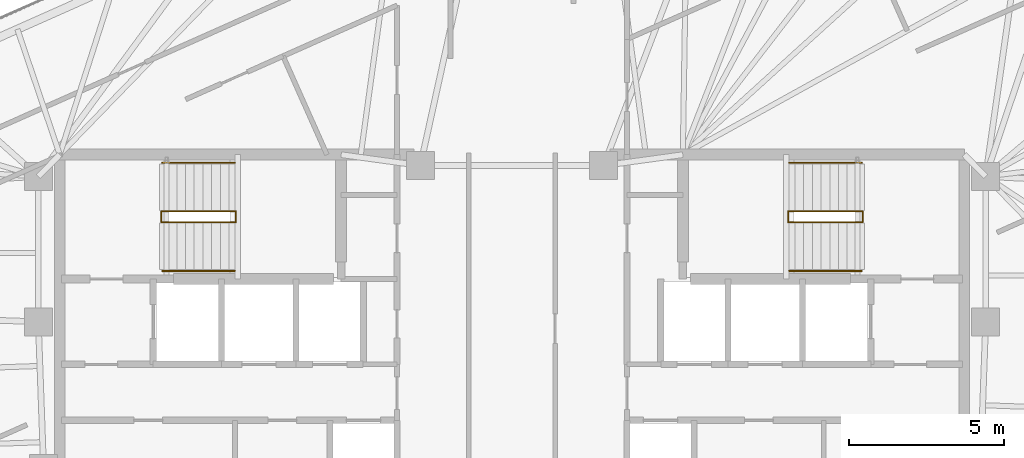
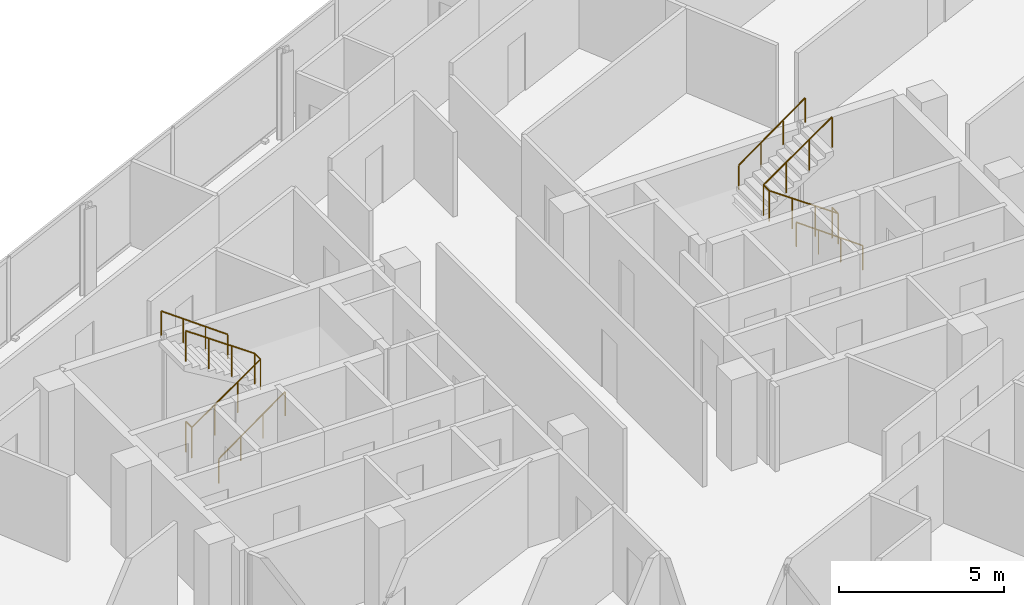
# One storey, part 19 of 19: 6 railings.
"""IFC4 building model written with IfcOpenShell, lengths in metres."""

from ifc_helpers import new_model, si_unit, direction, frame, origin, origin_2d, place, context, subcontext, project, spatial, circle, extrude, material, type_object, element, save


model = new_model("IFC4")

# Units and contexts
model_context = context("Model", 3, precision=1e-05, world=origin(), true_north=direction((0.0, 1.0)))
body_context = subcontext(model_context, "Body", "Model", "MODEL_VIEW")
ifc_project = project(units=[si_unit("LENGTHUNIT", "METRE"), si_unit("AREAUNIT", "SQUARE_METRE"), si_unit("VOLUMEUNIT", "CUBIC_METRE"), si_unit("PLANEANGLEUNIT", "RADIAN"), si_unit("MASSUNIT", "GRAM", prefix="KILO")], contexts=[model_context])

# Site, building, storey
site_placement = place(None, origin())
site = spatial("IfcSite", under=ifc_project, at=site_placement, CompositionType="ELEMENT")
building_placement = place(site_placement, origin())
building = spatial("IfcBuilding", under=site, at=building_placement, Name="Menara Jurai Vektor", CompositionType="ELEMENT")
storey_placement = place(building_placement, frame((0.0, 0.0, 295.300048828125)))
storey = spatial("IfcBuildingStorey", under=building, at=storey_placement, Name="L79", CompositionType="ELEMENT", Elevation=295.300048828125)

# Railings
ifc_material_1 = material(Name="Painted Galvanised Steel Balustrade", Category="steel")
railing_type_1 = type_object("IfcRailingType", Name="RAIL-STAIR-GUARD", PredefinedType="GUARDRAIL", material=ifc_material_1)
railing_1_placement = place(storey_placement, frame((-11.2900390625, 3.780029296875, 0.0)))
element("IfcRailing", 1, at=railing_1_placement, inside=storey, type_object=railing_type_1, Name="ST1 Stair Guardrail 1 L79", PredefinedType="GUARDRAIL", context=body_context, shape_type="SweptSolid", body=[
    extrude(circle(Radius=0.02392578125, at=origin_2d()), frame((0.0, 0.0, 1.1259765625), z_axis=(0.0, -1.0, 0.0), x_axis=(1.0, 0.0, 0.0)), (0.0, 0.0, 1.0), 0.360107421875),
    extrude(circle(Radius=0.02392578125, at=origin_2d()), frame((0.0, -0.360107421875, 1.1259765625), z_axis=(0.820042287322, 0.0, 0.572302932898), x_axis=(0.0, 1.0, 0.0)), (0.0, 0.0, 1.0), 2.9267578125),
    extrude(circle(Radius=0.02392578125, at=origin_2d()), frame((2.400146484375, -0.360107421875, 2.80078125), z_axis=(0.0, 1.0, 0.0), x_axis=(-1.0, 0.0, 0.0)), (0.0, 0.0, 1.0), 0.360107421875),
    extrude(circle(Radius=0.02392578125, at=origin_2d()), frame((2.400146484375, 0.0, 2.80078125), z_axis=(-0.820081434478, 0.0, 0.572246835573), x_axis=(0.0, -1.0, 0.0)), (0.0, 0.0, 1.0), 2.9267578125),
    extrude(circle(Radius=0.02099609375, at=origin_2d()), origin(), (0.0, 0.0, 1.0), 1.101806640625),
    extrude(circle(Radius=0.02099609375, at=origin_2d()), frame((0.0, -0.360107421875, 0.0)), (0.0, 0.0, 1.0), 1.101806640625),
    extrude(circle(Radius=0.02099609375, at=origin_2d()), frame((0.800048828125, -0.360107421875, 0.558349609375)), (0.0, 0.0, 1.0), 1.101806640625),
    extrude(circle(Radius=0.02099609375, at=origin_2d()), frame((1.60009765625, -0.360107421875, 1.11669921875)), (0.0, 0.0, 1.0), 1.101806640625),
    extrude(circle(Radius=0.02099609375, at=origin_2d()), frame((2.400146484375, -0.360107421875, 1.675048828125)), (0.0, 0.0, 1.0), 1.101806640625),
    extrude(circle(Radius=0.02099609375, at=origin_2d()), frame((2.400146484375, 0.0, 1.675048828125)), (0.0, 0.0, 1.0), 1.101806640625),
    extrude(circle(Radius=0.02099609375, at=origin_2d()), frame((1.60009765625, 0.0, 2.2333984375)), (0.0, 0.0, 1.0), 1.101806640625),
    extrude(circle(Radius=0.02099609375, at=origin_2d()), frame((0.800048828125, 0.0, 2.79150390625)), (0.0, 0.0, 1.0), 1.101806640625),
    extrude(circle(Radius=0.02099609375, at=origin_2d()), frame((0.0, 0.0, 3.349853515625)), (0.0, 0.0, 1.0), 1.101806640625),
])
railing_2_placement = place(storey_placement, frame((11.2900390625, 3.780029296875, 0.0)))
element("IfcRailing", 2, at=railing_2_placement, inside=storey, type_object=railing_type_1, Name="ST2 Stair Guardrail 1 L79", PredefinedType="GUARDRAIL", context=body_context, shape_type="SweptSolid", body=[
    extrude(circle(Radius=0.02392578125, at=origin_2d()), frame((0.0, 0.0, 1.1259765625), z_axis=(0.0, -1.0, 0.0), x_axis=(1.0, 0.0, 0.0)), (0.0, 0.0, 1.0), 0.360107421875),
    extrude(circle(Radius=0.02392578125, at=origin_2d()), frame((0.0, -0.360107421875, 1.1259765625), z_axis=(-0.820042287322, 0.0, 0.572302932898), x_axis=(0.0, -1.0, 0.0)), (0.0, 0.0, 1.0), 2.9267578125),
    extrude(circle(Radius=0.02392578125, at=origin_2d()), frame((-2.400146484375, -0.360107421875, 2.80078125), z_axis=(0.0, 1.0, 0.0), x_axis=(-1.0, 0.0, 0.0)), (0.0, 0.0, 1.0), 0.360107421875),
    extrude(circle(Radius=0.02392578125, at=origin_2d()), frame((-2.400146484375, 0.0, 2.80078125), z_axis=(0.820081434478, 0.0, 0.572246835573), x_axis=(0.0, 1.0, 0.0)), (0.0, 0.0, 1.0), 2.9267578125),
    extrude(circle(Radius=0.02099609375, at=origin_2d()), origin(), (0.0, 0.0, 1.0), 1.101806640625),
    extrude(circle(Radius=0.02099609375, at=origin_2d()), frame((0.0, -0.360107421875, 0.0)), (0.0, 0.0, 1.0), 1.101806640625),
    extrude(circle(Radius=0.02099609375, at=origin_2d()), frame((-0.800048828125, -0.360107421875, 0.558349609375)), (0.0, 0.0, 1.0), 1.101806640625),
    extrude(circle(Radius=0.02099609375, at=origin_2d()), frame((-1.60009765625, -0.360107421875, 1.11669921875)), (0.0, 0.0, 1.0), 1.101806640625),
    extrude(circle(Radius=0.02099609375, at=origin_2d()), frame((-2.400146484375, -0.360107421875, 1.675048828125)), (0.0, 0.0, 1.0), 1.101806640625),
    extrude(circle(Radius=0.02099609375, at=origin_2d()), frame((-2.400146484375, 0.0, 1.675048828125)), (0.0, 0.0, 1.0), 1.101806640625),
    extrude(circle(Radius=0.02099609375, at=origin_2d()), frame((-1.60009765625, 0.0, 2.2333984375)), (0.0, 0.0, 1.0), 1.101806640625),
    extrude(circle(Radius=0.02099609375, at=origin_2d()), frame((-0.800048828125, 0.0, 2.79150390625)), (0.0, 0.0, 1.0), 1.101806640625),
    extrude(circle(Radius=0.02099609375, at=origin_2d()), frame((0.0, 0.0, 3.349853515625)), (0.0, 0.0, 1.0), 1.101806640625),
])
ifc_material_2 = material(Name="Brushed Stainless Steel Handrail", Category="steel")
railing_type_2 = type_object("IfcRailingType", Name="RAIL-STAIR-HAND", PredefinedType="HANDRAIL", material=ifc_material_2)
railing_3_placement = place(storey_placement, frame((-11.25, 1.860107421875, 0.0)))
element("IfcRailing", 3, at=railing_3_placement, inside=storey, type_object=railing_type_2, Name="ST1 Stair Handrail 1 L79", PredefinedType="HANDRAIL", context=body_context, shape_type="SweptSolid", body=[
    extrude(circle(Radius=0.02392578125, at=origin_2d()), frame((0.0, 0.0, 0.89599609375), z_axis=(0.810771458067, 0.0, 0.585362830032), x_axis=(0.0, 1.0, 0.0)), (0.0, 0.0, 1.0), 2.861572265625),
    extrude(circle(Radius=0.02099609375, at=origin_2d()), origin(), (0.0, 0.0, 1.0), 0.871826171875),
    extrude(circle(Radius=0.02099609375, at=origin_2d()), frame((0.7734375, 0.0, 0.558349609375)), (0.0, 0.0, 1.0), 0.871826171875),
    extrude(circle(Radius=0.02099609375, at=origin_2d()), frame((1.546630859375, 0.0, 1.11669921875)), (0.0, 0.0, 1.0), 0.871826171875),
    extrude(circle(Radius=0.02099609375, at=origin_2d()), frame((2.320068359375, 0.0, 1.675048828125)), (0.0, 0.0, 1.0), 0.871826171875),
])
railing_4_placement = place(storey_placement, frame((-8.929931640625, 5.340087890625, 1.675048828125)))
element("IfcRailing", 4, at=railing_4_placement, inside=storey, type_object=railing_type_2, Name="ST1 Stair Handrail 2 L79", PredefinedType="HANDRAIL", context=body_context, shape_type="SweptSolid", body=[
    extrude(circle(Radius=0.02392578125, at=origin_2d()), frame((0.0, 0.0, 0.89599609375), z_axis=(-0.810811949412, 0.0, 0.585306742393), x_axis=(0.0, -1.0, 0.0)), (0.0, 0.0, 1.0), 2.861328125),
    extrude(circle(Radius=0.02099609375, at=origin_2d()), origin(), (0.0, 0.0, 1.0), 0.871826171875),
    extrude(circle(Radius=0.02099609375, at=origin_2d()), frame((-0.7734375, 0.0, 0.558349609375)), (0.0, 0.0, 1.0), 0.871826171875),
    extrude(circle(Radius=0.02099609375, at=origin_2d()), frame((-1.546630859375, 0.0, 1.116455078125)), (0.0, 0.0, 1.0), 0.871826171875),
    extrude(circle(Radius=0.02099609375, at=origin_2d()), frame((-2.320068359375, 0.0, 1.6748046875)), (0.0, 0.0, 1.0), 0.871826171875),
])
railing_5_placement = place(storey_placement, frame((11.25, 1.860107421875, 0.0)))
element("IfcRailing", 5, at=railing_5_placement, inside=storey, type_object=railing_type_2, Name="ST2 Stair Handrail 1 L79", PredefinedType="HANDRAIL", context=body_context, shape_type="SweptSolid", body=[
    extrude(circle(Radius=0.02392578125, at=origin_2d()), frame((0.0, 0.0, 0.89599609375), z_axis=(-0.810771458067, 0.0, 0.585362830032), x_axis=(0.0, -1.0, 0.0)), (0.0, 0.0, 1.0), 2.861572265625),
    extrude(circle(Radius=0.02099609375, at=origin_2d()), origin(), (0.0, 0.0, 1.0), 0.871826171875),
    extrude(circle(Radius=0.02099609375, at=origin_2d()), frame((-0.7734375, 0.0, 0.558349609375)), (0.0, 0.0, 1.0), 0.871826171875),
    extrude(circle(Radius=0.02099609375, at=origin_2d()), frame((-1.546630859375, 0.0, 1.11669921875)), (0.0, 0.0, 1.0), 0.871826171875),
    extrude(circle(Radius=0.02099609375, at=origin_2d()), frame((-2.320068359375, 0.0, 1.675048828125)), (0.0, 0.0, 1.0), 0.871826171875),
])
railing_6_placement = place(storey_placement, frame((8.929931640625, 5.340087890625, 1.675048828125)))
element("IfcRailing", 6, at=railing_6_placement, inside=storey, type_object=railing_type_2, Name="ST2 Stair Handrail 2 L79", PredefinedType="HANDRAIL", context=body_context, shape_type="SweptSolid", body=[
    extrude(circle(Radius=0.02392578125, at=origin_2d()), frame((0.0, 0.0, 0.89599609375), z_axis=(0.810811949412, 0.0, 0.585306742393), x_axis=(0.0, 1.0, 0.0)), (0.0, 0.0, 1.0), 2.861328125),
    extrude(circle(Radius=0.02099609375, at=origin_2d()), origin(), (0.0, 0.0, 1.0), 0.871826171875),
    extrude(circle(Radius=0.02099609375, at=origin_2d()), frame((0.7734375, 0.0, 0.558349609375)), (0.0, 0.0, 1.0), 0.871826171875),
    extrude(circle(Radius=0.02099609375, at=origin_2d()), frame((1.546630859375, 0.0, 1.116455078125)), (0.0, 0.0, 1.0), 0.871826171875),
    extrude(circle(Radius=0.02099609375, at=origin_2d()), frame((2.320068359375, 0.0, 1.6748046875)), (0.0, 0.0, 1.0), 0.871826171875),
])

save(model, "model.ifc")
